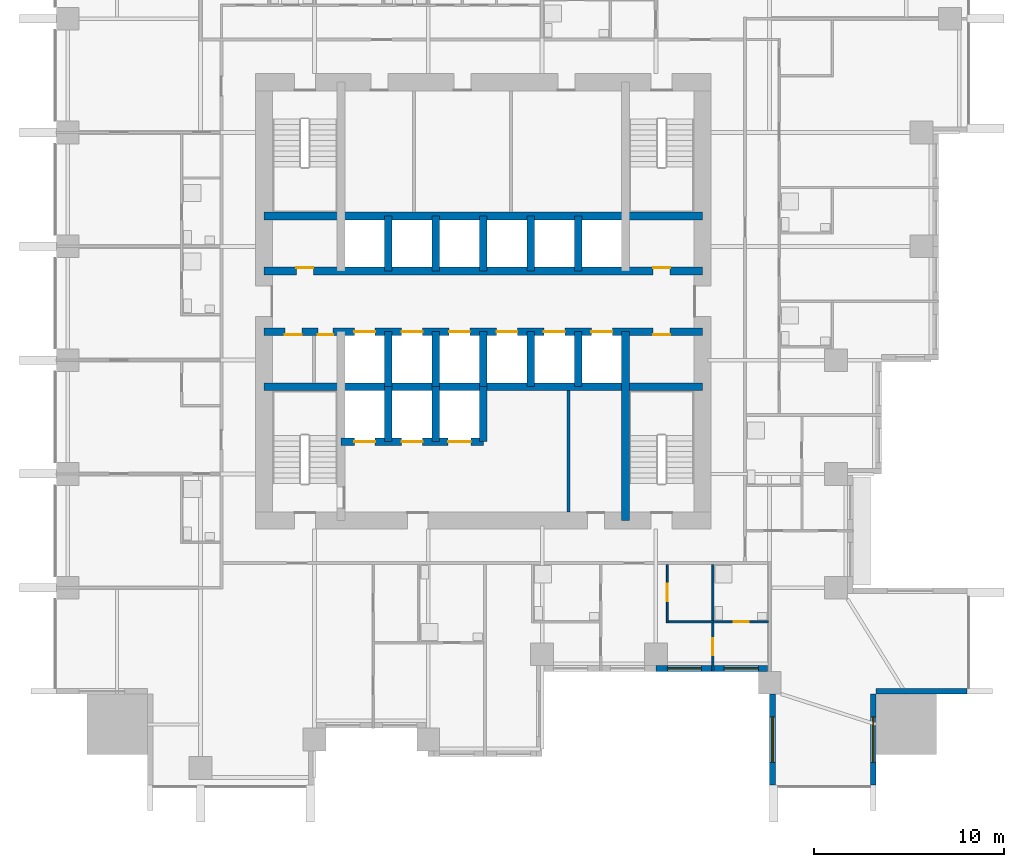
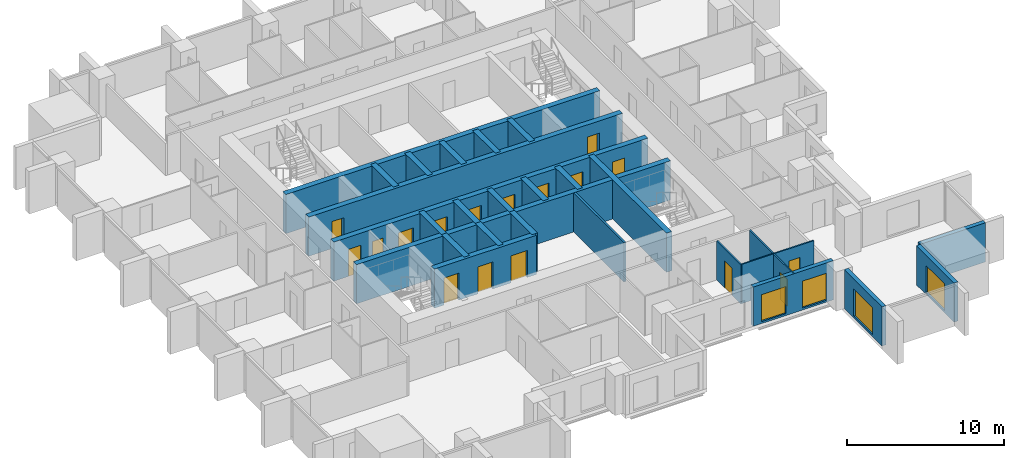
# One storey, part 5 of 10: 27 walls, 17 doors, 4 windows, 21 openings.
"""IFC4 building model written with IfcOpenShell, lengths in metres."""

from ifc_helpers import new_model, si_unit, direction, frame, frame_2d, origin, place, context, subcontext, project, spatial, rectangle, extrude, material, layer, layer_set, type_object, element, fill, save


model = new_model("IFC4")

# Units and contexts
model_context = context("Model", 3, precision=1e-05, world=origin(), true_north=direction((0.0, 1.0)))
body_context = subcontext(model_context, "Body", "Model", "MODEL_VIEW")
ifc_project = project(units=[si_unit("LENGTHUNIT", "METRE"), si_unit("AREAUNIT", "SQUARE_METRE"), si_unit("VOLUMEUNIT", "CUBIC_METRE"), si_unit("PLANEANGLEUNIT", "RADIAN"), si_unit("MASSUNIT", "GRAM", prefix="KILO")], contexts=[model_context])

# Site, building, storey
site_placement = place(None, origin())
site = spatial("IfcSite", under=ifc_project, at=site_placement, CompositionType="ELEMENT")
building_placement = place(site_placement, origin())
building = spatial("IfcBuilding", under=site, at=building_placement, Name="Amberfall Residences", CompositionType="ELEMENT")
storey_placement = place(building_placement, frame((0.0, 0.0, 46.60009765625)))
storey = spatial("IfcBuildingStorey", under=building, at=storey_placement, Name="L12", CompositionType="ELEMENT", Elevation=46.60009765625)

# Wall, opening, window
ifc_material_1 = material(Name="Pale stone cladding on insulated backing", Category="masonry")
ifc_layer_1 = layer(ifc_material_1, 0.300048828125)
ifc_layer_set_1 = layer_set([ifc_layer_1], Name="Bronze clad wall 300")
wall_type_1 = type_object("IfcWallType", Name="Bronze clad wall 300", PredefinedType="SOLIDWALL", material=ifc_layer_set_1)
wall_1_placement = place(storey_placement, frame((89.75, 24.800048828125, 0.0), z_axis=(0.0, 0.0, 1.0), x_axis=(0.0, -1.0, 0.0)))
wall_1 = element("IfcWall", 1, at=wall_1_placement, inside=storey, type_object=wall_type_1, Name="External wall L12 S", PredefinedType="SOLIDWALL", context=body_context, shape_type="SweptSolid", body=[
    extrude(rectangle(XDim=4.800048828125, YDim=0.300048828125, at=frame_2d((2.39990234375, 0.0))), origin(), (0.0, 0.0, 1.0), 3.0498046875),
])
opening_1_placement = place(wall_1_placement, frame((1.199951171875, 0.0, 0.14990234375)))
opening_1 = element("IfcOpeningElement", 2, at=opening_1_placement, cuts=wall_1, Name="Opening WN5", PredefinedType="OPENING", context=body_context, shape_type="SweptSolid", body=[
    extrude(rectangle(XDim=2.39990234375, YDim=2.10009765625, at=frame_2d((1.199951171875, 1.050048828125))), frame((0.0, 0.159912109375, 0.0), z_axis=(0.0, -1.0, 0.0), x_axis=(1.0, 0.0, 0.0)), (0.0, 0.0, 1.0), 0.320068359375),
])
ifc_material_2 = material(Name="Bronze aluminium framed glazing", Category="aluminium")
window_type_1 = type_object("IfcWindowType", Name="Glazed opening 2400 x 2100 bronze", PartitioningType="DOUBLE_PANEL_VERTICAL", PredefinedType="WINDOW", material=ifc_material_2)
window_1_placement = place(opening_1_placement, origin())
window_1 = element("IfcWindow", 3, at=window_1_placement, inside=storey, type_object=window_type_1, Name="Window L12 S", OverallHeight=2.10009765625, OverallWidth=2.39990234375, PartitioningType="DOUBLE_PANEL_VERTICAL", PredefinedType="WINDOW", context=body_context, shape_type="SweptSolid", body=[
    extrude(rectangle(XDim=2.39990234375, YDim=2.10009765625, at=frame_2d((1.199951171875, 1.050048828125))), frame((0.0, 0.030029296875, 0.0), z_axis=(0.0, -1.0, 0.0), x_axis=(1.0, 0.0, 0.0)), (0.0, 0.0, 1.0), 0.06005859375),
])
fill(opening_1, window_1)

wall_2_placement = place(storey_placement, frame((95.050048828125, 20.0, 0.0), z_axis=(0.0, 0.0, 1.0), x_axis=(0.0, 1.0, 0.0)))
wall_2 = element("IfcWall", 4, at=wall_2_placement, inside=storey, type_object=wall_type_1, Name="External wall L12 SE", PredefinedType="SOLIDWALL", context=body_context, shape_type="SweptSolid", body=[
    extrude(rectangle(XDim=4.800048828125, YDim=0.300048828125, at=frame_2d((2.39990234375, 0.0))), origin(), (0.0, 0.0, 1.0), 3.0498046875),
])
opening_2_placement = place(wall_2_placement, frame((1.199951171875, 0.0, 0.14990234375)))
opening_2 = element("IfcOpeningElement", 5, at=opening_2_placement, cuts=wall_2, Name="Opening WN5", PredefinedType="OPENING", context=body_context, shape_type="SweptSolid", body=[
    extrude(rectangle(XDim=2.39990234375, YDim=2.10009765625, at=frame_2d((1.199951171875, 1.050048828125))), frame((0.0, 0.159912109375, 0.0), z_axis=(0.0, -1.0, 0.0), x_axis=(1.0, 0.0, 0.0)), (0.0, 0.0, 1.0), 0.320068359375),
])
window_2_placement = place(opening_2_placement, origin())
window_2 = element("IfcWindow", 6, at=window_2_placement, inside=storey, type_object=window_type_1, Name="Window L12 SE", OverallHeight=2.10009765625, OverallWidth=2.39990234375, PartitioningType="DOUBLE_PANEL_VERTICAL", PredefinedType="WINDOW", context=body_context, shape_type="SweptSolid", body=[
    extrude(rectangle(XDim=2.39990234375, YDim=2.10009765625, at=frame_2d((1.199951171875, 1.050048828125))), frame((0.0, 0.030029296875, 0.0), z_axis=(0.0, -1.0, 0.0), x_axis=(1.0, 0.0, 0.0)), (0.0, 0.0, 1.0), 0.06005859375),
])
fill(opening_2, window_2)

# Wall
wall_3_placement = place(storey_placement, frame((95.199951171875, 24.949951171875, 0.0), z_axis=(0.0, 0.0, 1.0), x_axis=(1.0, 0.0, 0.0)))
element("IfcWall", 7, at=wall_3_placement, inside=storey, type_object=wall_type_1, Name="External wall L12 SE", PredefinedType="SOLIDWALL", context=body_context, shape_type="SweptSolid", body=[
    extrude(rectangle(XDim=4.800048828125, YDim=0.300048828125, at=frame_2d((2.39990234375, 0.0))), origin(), (0.0, 0.0, 1.0), 3.0498046875),
])

# Wall, openings, windows
wall_4_placement = place(storey_placement, frame((83.60009765625, 26.14990234375, 0.0), z_axis=(0.0, 0.0, 1.0), x_axis=(1.0, 0.0, 0.0)))
wall_4 = element("IfcWall", 8, at=wall_4_placement, inside=storey, type_object=wall_type_1, Name="Stone wall L12 S", PredefinedType="SOLIDWALL", context=body_context, shape_type="SweptSolid", body=[
    extrude(rectangle(XDim=5.889892578125, YDim=0.300048828125, at=frame_2d((2.94482421875, 0.0))), origin(), (0.0, 0.0, 1.0), 3.0498046875),
])
opening_3_placement = place(wall_4_placement, frame((0.60009765625, 0.0, 0.14990234375)))
opening_3 = element("IfcOpeningElement", 9, at=opening_3_placement, cuts=wall_4, Name="Opening WN6", PredefinedType="OPENING", context=body_context, shape_type="SweptSolid", body=[
    extrude(rectangle(XDim=1.800048828125, YDim=2.10009765625, at=frame_2d((0.89990234375, 1.050048828125))), frame((0.0, 0.159912109375, 0.0), z_axis=(0.0, -1.0, 0.0), x_axis=(1.0, 0.0, 0.0)), (0.0, 0.0, 1.0), 0.320068359375),
])
opening_4_placement = place(wall_4_placement, frame((3.60009765625, 0.0, 0.14990234375)))
opening_4 = element("IfcOpeningElement", 10, at=opening_4_placement, cuts=wall_4, Name="Opening WN6", PredefinedType="OPENING", context=body_context, shape_type="SweptSolid", body=[
    extrude(rectangle(XDim=1.800048828125, YDim=2.10009765625, at=frame_2d((0.89990234375, 1.050048828125))), frame((0.0, 0.159912109375, 0.0), z_axis=(0.0, -1.0, 0.0), x_axis=(1.0, 0.0, 0.0)), (0.0, 0.0, 1.0), 0.320068359375),
])
window_type_2 = type_object("IfcWindowType", Name="Glazed opening 1800 x 2100 bronze", PartitioningType="DOUBLE_PANEL_VERTICAL", PredefinedType="WINDOW", material=ifc_material_2)
window_3_placement = place(opening_3_placement, origin())
window_3 = element("IfcWindow", 11, at=window_3_placement, inside=storey, type_object=window_type_2, Name="Window L12 S", OverallHeight=2.10009765625, OverallWidth=1.800048828125, PartitioningType="DOUBLE_PANEL_VERTICAL", PredefinedType="WINDOW", context=body_context, shape_type="SweptSolid", body=[
    extrude(rectangle(XDim=1.800048828125, YDim=2.10009765625, at=frame_2d((0.89990234375, 1.050048828125))), frame((0.0, 0.030029296875, 0.0), z_axis=(0.0, -1.0, 0.0), x_axis=(1.0, 0.0, 0.0)), (0.0, 0.0, 1.0), 0.06005859375),
])
fill(opening_3, window_3)
window_4_placement = place(opening_4_placement, origin())
window_4 = element("IfcWindow", 12, at=window_4_placement, inside=storey, type_object=window_type_2, Name="Window L12 S", OverallHeight=2.10009765625, OverallWidth=1.800048828125, PartitioningType="DOUBLE_PANEL_VERTICAL", PredefinedType="WINDOW", context=body_context, shape_type="SweptSolid", body=[
    extrude(rectangle(XDim=1.800048828125, YDim=2.10009765625, at=frame_2d((0.89990234375, 1.050048828125))), frame((0.0, 0.030029296875, 0.0), z_axis=(0.0, -1.0, 0.0), x_axis=(1.0, 0.0, 0.0)), (0.0, 0.0, 1.0), 0.06005859375),
])
fill(opening_4, window_4)

# Wall
ifc_material_3 = material(Name="Concrete C80", Category="concrete")
ifc_layer_2 = layer(ifc_material_3, 0.39990234375)
ifc_layer_set_2 = layer_set([ifc_layer_2], Name="Core wall 400 C80")
wall_type_2 = type_object("IfcWallType", Name="Core wall 400 C80", PredefinedType="SHEAR", material=ifc_layer_set_2)
wall_5_placement = place(storey_placement, frame((62.949951171875, 41.0, 0.0), z_axis=(0.0, 0.0, 1.0), x_axis=(1.0, 0.0, 0.0)))
element("IfcWall", 13, at=wall_5_placement, inside=storey, type_object=wall_type_2, Name="Core wall RW2 L12 H75", PredefinedType="SHEAR", context=body_context, shape_type="SweptSolid", body=[
    extrude(rectangle(XDim=23.10009765625, YDim=0.39990234375, at=frame_2d((11.550048828125, 0.0))), origin(), (0.0, 0.0, 1.0), 3.0498046875),
])

# Wall, openings, doors
wall_6_placement = place(storey_placement, frame((62.949951171875, 43.89990234375, 0.0), z_axis=(0.0, 0.0, 1.0), x_axis=(1.0, 0.0, 0.0)))
wall_6 = element("IfcWall", 14, at=wall_6_placement, inside=storey, type_object=wall_type_2, Name="Core wall RW2 L12 H104", PredefinedType="SHEAR", context=body_context, shape_type="SweptSolid", body=[
    extrude(rectangle(XDim=23.10009765625, YDim=0.39990234375, at=frame_2d((11.550048828125, 0.0))), origin(), (0.0, 0.0, 1.0), 3.0498046875),
])
opening_5_placement = place(wall_6_placement, frame((1.087890625, 0.0, 0.0)))
opening_5 = element("IfcOpeningElement", 15, at=opening_5_placement, cuts=wall_6, Name="Opening RD1", PredefinedType="OPENING", context=body_context, shape_type="SweptSolid", body=[
    extrude(rectangle(XDim=0.89990234375, YDim=2.10009765625, at=frame_2d((0.449951171875, 1.050048828125))), frame((0.0, 0.2099609375, 0.0), z_axis=(0.0, -1.0, 0.0), x_axis=(1.0, 0.0, 0.0)), (0.0, 0.0, 1.0), 0.419921875),
])
opening_6_placement = place(wall_6_placement, frame((2.837890625, 0.0, 0.0)))
opening_6 = element("IfcOpeningElement", 16, at=opening_6_placement, cuts=wall_6, Name="Opening RD2", PredefinedType="OPENING", context=body_context, shape_type="SweptSolid", body=[
    extrude(rectangle(XDim=0.800048828125, YDim=2.10009765625, at=frame_2d((0.39990234375, 1.050048828125))), frame((0.0, 0.2099609375, 0.0), z_axis=(0.0, -1.0, 0.0), x_axis=(1.0, 0.0, 0.0)), (0.0, 0.0, 1.0), 0.419921875),
])
opening_7_placement = place(wall_6_placement, frame((20.5, 0.0, 0.0)))
opening_7 = element("IfcOpeningElement", 17, at=opening_7_placement, cuts=wall_6, Name="Opening RD1", PredefinedType="OPENING", context=body_context, shape_type="SweptSolid", body=[
    extrude(rectangle(XDim=0.89990234375, YDim=2.10009765625, at=frame_2d((0.449951171875, 1.050048828125))), frame((0.0, 0.2099609375, 0.0), z_axis=(0.0, -1.0, 0.0), x_axis=(1.0, 0.0, 0.0)), (0.0, 0.0, 1.0), 0.419921875),
])
opening_8_placement = place(wall_6_placement, frame((4.75, 0.0, 0.0)))
opening_8 = element("IfcOpeningElement", 18, at=opening_8_placement, cuts=wall_6, Name="Opening LD1", PredefinedType="OPENING", context=body_context, shape_type="SweptSolid", body=[
    extrude(rectangle(XDim=1.10009765625, YDim=2.10009765625, at=frame_2d((0.550048828125, 1.050048828125))), frame((0.0, 0.2099609375, 0.0), z_axis=(0.0, -1.0, 0.0), x_axis=(1.0, 0.0, 0.0)), (0.0, 0.0, 1.0), 0.419921875),
])
opening_9_placement = place(wall_6_placement, frame((7.25, 0.0, 0.0)))
opening_9 = element("IfcOpeningElement", 19, at=opening_9_placement, cuts=wall_6, Name="Opening LD1", PredefinedType="OPENING", context=body_context, shape_type="SweptSolid", body=[
    extrude(rectangle(XDim=1.10009765625, YDim=2.10009765625, at=frame_2d((0.550048828125, 1.050048828125))), frame((0.0, 0.2099609375, 0.0), z_axis=(0.0, -1.0, 0.0), x_axis=(1.0, 0.0, 0.0)), (0.0, 0.0, 1.0), 0.419921875),
])
opening_10_placement = place(wall_6_placement, frame((9.75, 0.0, 0.0)))
opening_10 = element("IfcOpeningElement", 20, at=opening_10_placement, cuts=wall_6, Name="Opening LD1", PredefinedType="OPENING", context=body_context, shape_type="SweptSolid", body=[
    extrude(rectangle(XDim=1.10009765625, YDim=2.10009765625, at=frame_2d((0.550048828125, 1.050048828125))), frame((0.0, 0.2099609375, 0.0), z_axis=(0.0, -1.0, 0.0), x_axis=(1.0, 0.0, 0.0)), (0.0, 0.0, 1.0), 0.419921875),
])
opening_11_placement = place(wall_6_placement, frame((12.25, 0.0, 0.0)))
opening_11 = element("IfcOpeningElement", 21, at=opening_11_placement, cuts=wall_6, Name="Opening LD1", PredefinedType="OPENING", context=body_context, shape_type="SweptSolid", body=[
    extrude(rectangle(XDim=1.10009765625, YDim=2.10009765625, at=frame_2d((0.550048828125, 1.050048828125))), frame((0.0, 0.2099609375, 0.0), z_axis=(0.0, -1.0, 0.0), x_axis=(1.0, 0.0, 0.0)), (0.0, 0.0, 1.0), 0.419921875),
])
opening_12_placement = place(wall_6_placement, frame((14.75, 0.0, 0.0)))
opening_12 = element("IfcOpeningElement", 22, at=opening_12_placement, cuts=wall_6, Name="Opening LD1", PredefinedType="OPENING", context=body_context, shape_type="SweptSolid", body=[
    extrude(rectangle(XDim=1.10009765625, YDim=2.10009765625, at=frame_2d((0.550048828125, 1.050048828125))), frame((0.0, 0.2099609375, 0.0), z_axis=(0.0, -1.0, 0.0), x_axis=(1.0, 0.0, 0.0)), (0.0, 0.0, 1.0), 0.419921875),
])
opening_13_placement = place(wall_6_placement, frame((17.25, 0.0, 0.0)))
opening_13 = element("IfcOpeningElement", 23, at=opening_13_placement, cuts=wall_6, Name="Opening LD1", PredefinedType="OPENING", context=body_context, shape_type="SweptSolid", body=[
    extrude(rectangle(XDim=1.10009765625, YDim=2.10009765625, at=frame_2d((0.550048828125, 1.050048828125))), frame((0.0, 0.2099609375, 0.0), z_axis=(0.0, -1.0, 0.0), x_axis=(1.0, 0.0, 0.0)), (0.0, 0.0, 1.0), 0.419921875),
])
ifc_material_4 = material(Name="Steel fire door set", Category="steel")
door_type_1 = type_object("IfcDoorType", Name="Lift landing door 1100 x 2100", OperationType="DOUBLE_DOOR_SLIDING", PredefinedType="DOOR", material=ifc_material_4)
door_1_placement = place(opening_8_placement, origin())
door_1 = element("IfcDoor", 24, at=door_1_placement, inside=storey, type_object=door_type_1, Name="Landing door LP1 L12", OperationType="DOUBLE_DOOR_SLIDING", OverallHeight=2.10009765625, OverallWidth=1.10009765625, PredefinedType="DOOR", context=body_context, shape_type="SweptSolid", body=[
    extrude(rectangle(XDim=1.10009765625, YDim=2.10009765625, at=frame_2d((0.550048828125, 1.050048828125))), frame((0.0, 0.02490234375, 0.0), z_axis=(0.0, -1.0, 0.0), x_axis=(1.0, 0.0, 0.0)), (0.0, 0.0, 1.0), 0.050048828125),
])
fill(opening_8, door_1)
door_2_placement = place(opening_9_placement, origin())
door_2 = element("IfcDoor", 25, at=door_2_placement, inside=storey, type_object=door_type_1, Name="Landing door LP2 L12", OperationType="DOUBLE_DOOR_SLIDING", OverallHeight=2.10009765625, OverallWidth=1.10009765625, PredefinedType="DOOR", context=body_context, shape_type="SweptSolid", body=[
    extrude(rectangle(XDim=1.10009765625, YDim=2.10009765625, at=frame_2d((0.550048828125, 1.050048828125))), frame((0.0, 0.02490234375, 0.0), z_axis=(0.0, -1.0, 0.0), x_axis=(1.0, 0.0, 0.0)), (0.0, 0.0, 1.0), 0.050048828125),
])
fill(opening_9, door_2)
door_3_placement = place(opening_10_placement, origin())
door_3 = element("IfcDoor", 26, at=door_3_placement, inside=storey, type_object=door_type_1, Name="Landing door LP3 L12", OperationType="DOUBLE_DOOR_SLIDING", OverallHeight=2.10009765625, OverallWidth=1.10009765625, PredefinedType="DOOR", context=body_context, shape_type="SweptSolid", body=[
    extrude(rectangle(XDim=1.10009765625, YDim=2.10009765625, at=frame_2d((0.550048828125, 1.050048828125))), frame((0.0, 0.02490234375, 0.0), z_axis=(0.0, -1.0, 0.0), x_axis=(1.0, 0.0, 0.0)), (0.0, 0.0, 1.0), 0.050048828125),
])
fill(opening_10, door_3)
door_4_placement = place(opening_11_placement, origin())
door_4 = element("IfcDoor", 27, at=door_4_placement, inside=storey, type_object=door_type_1, Name="Landing door LP4 L12", OperationType="DOUBLE_DOOR_SLIDING", OverallHeight=2.10009765625, OverallWidth=1.10009765625, PredefinedType="DOOR", context=body_context, shape_type="SweptSolid", body=[
    extrude(rectangle(XDim=1.10009765625, YDim=2.10009765625, at=frame_2d((0.550048828125, 1.050048828125))), frame((0.0, 0.02490234375, 0.0), z_axis=(0.0, -1.0, 0.0), x_axis=(1.0, 0.0, 0.0)), (0.0, 0.0, 1.0), 0.050048828125),
])
fill(opening_11, door_4)
door_5_placement = place(opening_12_placement, origin())
door_5 = element("IfcDoor", 28, at=door_5_placement, inside=storey, type_object=door_type_1, Name="Landing door LP5 L12", OperationType="DOUBLE_DOOR_SLIDING", OverallHeight=2.10009765625, OverallWidth=1.10009765625, PredefinedType="DOOR", context=body_context, shape_type="SweptSolid", body=[
    extrude(rectangle(XDim=1.10009765625, YDim=2.10009765625, at=frame_2d((0.550048828125, 1.050048828125))), frame((0.0, 0.02490234375, 0.0), z_axis=(0.0, -1.0, 0.0), x_axis=(1.0, 0.0, 0.0)), (0.0, 0.0, 1.0), 0.050048828125),
])
fill(opening_12, door_5)
door_6_placement = place(opening_13_placement, origin())
door_6 = element("IfcDoor", 29, at=door_6_placement, inside=storey, type_object=door_type_1, Name="Landing door LP6 L12", OperationType="DOUBLE_DOOR_SLIDING", OverallHeight=2.10009765625, OverallWidth=1.10009765625, PredefinedType="DOOR", context=body_context, shape_type="SweptSolid", body=[
    extrude(rectangle(XDim=1.10009765625, YDim=2.10009765625, at=frame_2d((0.550048828125, 1.050048828125))), frame((0.0, 0.02490234375, 0.0), z_axis=(0.0, -1.0, 0.0), x_axis=(1.0, 0.0, 0.0)), (0.0, 0.0, 1.0), 0.050048828125),
])
fill(opening_13, door_6)
door_type_2 = type_object("IfcDoorType", Name="Service room door 800 x 2100", OperationType="SINGLE_SWING_LEFT", PredefinedType="DOOR", material=ifc_material_4)
door_7_placement = place(opening_6_placement, origin())
door_7 = element("IfcDoor", 30, at=door_7_placement, inside=storey, type_object=door_type_2, Name="RD2 L12", OperationType="SINGLE_SWING_RIGHT", OverallHeight=2.10009765625, OverallWidth=0.800048828125, PredefinedType="DOOR", context=body_context, shape_type="SweptSolid", body=[
    extrude(rectangle(XDim=0.800048828125, YDim=2.10009765625, at=frame_2d((0.39990234375, 1.050048828125))), frame((0.0, -0.1376953125, 0.0), z_axis=(0.0, -1.0, 0.0), x_axis=(1.0, 0.0, 0.0)), (0.0, 0.0, 1.0), 0.050048828125),
])
fill(opening_6, door_7)
door_type_3 = type_object("IfcDoorType", Name="Service room door 900 x 2100", OperationType="SINGLE_SWING_LEFT", PredefinedType="DOOR", material=ifc_material_4)
door_8_placement = place(opening_5_placement, origin())
door_8 = element("IfcDoor", 31, at=door_8_placement, inside=storey, type_object=door_type_3, Name="RD1 L12", OperationType="SINGLE_SWING_LEFT", OverallHeight=2.10009765625, OverallWidth=0.89990234375, PredefinedType="DOOR", context=body_context, shape_type="SweptSolid", body=[
    extrude(rectangle(XDim=0.89990234375, YDim=2.10009765625, at=frame_2d((0.449951171875, 1.050048828125))), frame((0.0, -0.1376953125, 0.0), z_axis=(0.0, -1.0, 0.0), x_axis=(1.0, 0.0, 0.0)), (0.0, 0.0, 1.0), 0.050048828125),
])
fill(opening_5, door_8)
door_9_placement = place(opening_7_placement, origin())
door_9 = element("IfcDoor", 32, at=door_9_placement, inside=storey, type_object=door_type_3, Name="RD1 L12", OperationType="SINGLE_SWING_LEFT", OverallHeight=2.10009765625, OverallWidth=0.89990234375, PredefinedType="DOOR", context=body_context, shape_type="SweptSolid", body=[
    extrude(rectangle(XDim=0.89990234375, YDim=2.10009765625, at=frame_2d((0.449951171875, 1.050048828125))), frame((0.0, -0.1376953125, 0.0), z_axis=(0.0, -1.0, 0.0), x_axis=(1.0, 0.0, 0.0)), (0.0, 0.0, 1.0), 0.050048828125),
])
fill(opening_7, door_9)

wall_7_placement = place(storey_placement, frame((62.949951171875, 47.10009765625, 0.0), z_axis=(0.0, 0.0, 1.0), x_axis=(1.0, 0.0, 0.0)))
wall_7 = element("IfcWall", 33, at=wall_7_placement, inside=storey, type_object=wall_type_2, Name="Core wall RW2 L12 H136", PredefinedType="SHEAR", context=body_context, shape_type="SweptSolid", body=[
    extrude(rectangle(XDim=23.10009765625, YDim=0.39990234375, at=frame_2d((11.550048828125, 0.0))), origin(), (0.0, 0.0, 1.0), 3.0498046875),
])
opening_14_placement = place(wall_7_placement, frame((1.699951171875, 0.0, 0.0)))
opening_14 = element("IfcOpeningElement", 34, at=opening_14_placement, cuts=wall_7, Name="Opening RD1", PredefinedType="OPENING", context=body_context, shape_type="SweptSolid", body=[
    extrude(rectangle(XDim=0.89990234375, YDim=2.10009765625, at=frame_2d((0.449951171875, 1.050048828125))), frame((0.0, 0.2099609375, 0.0), z_axis=(0.0, -1.0, 0.0), x_axis=(1.0, 0.0, 0.0)), (0.0, 0.0, 1.0), 0.419921875),
])
opening_15_placement = place(wall_7_placement, frame((20.5, 0.0, 0.0)))
opening_15 = element("IfcOpeningElement", 35, at=opening_15_placement, cuts=wall_7, Name="Opening RD1", PredefinedType="OPENING", context=body_context, shape_type="SweptSolid", body=[
    extrude(rectangle(XDim=0.89990234375, YDim=2.10009765625, at=frame_2d((0.449951171875, 1.050048828125))), frame((0.0, 0.2099609375, 0.0), z_axis=(0.0, -1.0, 0.0), x_axis=(1.0, 0.0, 0.0)), (0.0, 0.0, 1.0), 0.419921875),
])
door_10_placement = place(opening_14_placement, origin())
door_10 = element("IfcDoor", 36, at=door_10_placement, inside=storey, type_object=door_type_3, Name="RD1 L12", OperationType="SINGLE_SWING_LEFT", OverallHeight=2.10009765625, OverallWidth=0.89990234375, PredefinedType="DOOR", context=body_context, shape_type="SweptSolid", body=[
    extrude(rectangle(XDim=0.89990234375, YDim=2.10009765625, at=frame_2d((0.449951171875, 1.050048828125))), frame((0.0, 0.1875, 0.0), z_axis=(0.0, -1.0, 0.0), x_axis=(1.0, 0.0, 0.0)), (0.0, 0.0, 1.0), 0.050048828125),
])
fill(opening_14, door_10)
door_11_placement = place(opening_15_placement, origin())
door_11 = element("IfcDoor", 37, at=door_11_placement, inside=storey, type_object=door_type_3, Name="RD1 L12", OperationType="SINGLE_SWING_LEFT", OverallHeight=2.10009765625, OverallWidth=0.89990234375, PredefinedType="DOOR", context=body_context, shape_type="SweptSolid", body=[
    extrude(rectangle(XDim=0.89990234375, YDim=2.10009765625, at=frame_2d((0.449951171875, 1.050048828125))), frame((0.0, 0.1875, 0.0), z_axis=(0.0, -1.0, 0.0), x_axis=(1.0, 0.0, 0.0)), (0.0, 0.0, 1.0), 0.050048828125),
])
fill(opening_15, door_11)

# Walls
wall_8_placement = place(storey_placement, frame((62.949951171875, 50.0, 0.0), z_axis=(0.0, 0.0, 1.0), x_axis=(1.0, 0.0, 0.0)))
element("IfcWall", 38, at=wall_8_placement, inside=storey, type_object=wall_type_2, Name="Core wall RW2 L12 H165", PredefinedType="SHEAR", context=body_context, shape_type="SweptSolid", body=[
    extrude(rectangle(XDim=23.10009765625, YDim=0.39990234375, at=frame_2d((11.550048828125, 0.0))), origin(), (0.0, 0.0, 1.0), 3.0498046875),
])
wall_9_placement = place(storey_placement, frame((82.0, 33.949951171875, 0.0), z_axis=(0.0, 0.0, 1.0), x_axis=(0.0, 1.0, 0.0)))
element("IfcWall", 39, at=wall_9_placement, inside=storey, type_object=wall_type_2, Name="Core wall RW2 L12 V195S", PredefinedType="SHEAR", context=body_context, shape_type="SweptSolid", body=[
    extrude(rectangle(XDim=9.949951171875, YDim=0.39990234375, at=frame_2d((4.97509765625, 0.0))), origin(), (0.0, 0.0, 1.0), 3.0498046875),
])
for number, where, z_axis, x_axis, name in (
    (40, (69.5, 41.0, 0.0), (0.0, 0.0, 1.0), (0.0, 1.0, 0.0), "Core wall RW2 L12 LPD1"),
    (41, (69.5, 47.10009765625, 0.0), (0.0, 0.0, 1.0), (0.0, 1.0, 0.0), "Core wall RW2 L12 HPD1"),
    (42, (72.0, 41.0, 0.0), (0.0, 0.0, 1.0), (0.0, 1.0, 0.0), "Core wall RW2 L12 LPD2"),
    (43, (72.0, 47.10009765625, 0.0), (0.0, 0.0, 1.0), (0.0, 1.0, 0.0), "Core wall RW2 L12 HPD2"),
    (44, (74.5, 41.0, 0.0), (0.0, 0.0, 1.0), (0.0, 1.0, 0.0), "Core wall RW2 L12 LPD3"),
    (45, (74.5, 47.10009765625, 0.0), (0.0, 0.0, 1.0), (0.0, 1.0, 0.0), "Core wall RW2 L12 HPD3"),
    (46, (77.0, 41.0, 0.0), (0.0, 0.0, 1.0), (0.0, 1.0, 0.0), "Core wall RW2 L12 LPD4"),
    (47, (77.0, 47.10009765625, 0.0), (0.0, 0.0, 1.0), (0.0, 1.0, 0.0), "Core wall RW2 L12 HPD4"),
    (48, (79.5, 41.0, 0.0), (0.0, 0.0, 1.0), (0.0, 1.0, 0.0), "Core wall RW2 L12 LPD5"),
    (49, (79.5, 47.10009765625, 0.0), (0.0, 0.0, 1.0), (0.0, 1.0, 0.0), "Core wall RW2 L12 HPD5"),
):
    element("IfcWall", number, at=place(storey_placement, frame(where, z_axis=z_axis, x_axis=x_axis)), inside=storey, type_object=wall_type_2, Name=name, PredefinedType="SHEAR", context=body_context, shape_type="SweptSolid", body=[
        extrude(rectangle(XDim=2.89990234375, YDim=0.39990234375, at=frame_2d((1.449951171875, 0.0))), origin(), (0.0, 0.0, 1.0), 3.0498046875),
    ])

# Wall, openings, doors
wall_10_placement = place(storey_placement, frame((67.0, 38.10009765625, 0.0), z_axis=(0.0, 0.0, 1.0), x_axis=(1.0, 0.0, 0.0)))
wall_10 = element("IfcWall", 50, at=wall_10_placement, inside=storey, type_object=wall_type_2, Name="Core wall RW2 L12 FFF", PredefinedType="SHEAR", context=body_context, shape_type="SweptSolid", body=[
    extrude(rectangle(XDim=7.5, YDim=0.39990234375, at=frame_2d((3.75, 0.0))), origin(), (0.0, 0.0, 1.0), 3.0498046875),
])
opening_16_placement = place(wall_10_placement, frame((0.699951171875, 0.0, 0.0)))
opening_16 = element("IfcOpeningElement", 51, at=opening_16_placement, cuts=wall_10, Name="Opening LD2", PredefinedType="OPENING", context=body_context, shape_type="SweptSolid", body=[
    extrude(rectangle(XDim=1.10009765625, YDim=2.10009765625, at=frame_2d((0.550048828125, 1.050048828125))), frame((0.0, 0.2099609375, 0.0), z_axis=(0.0, -1.0, 0.0), x_axis=(1.0, 0.0, 0.0)), (0.0, 0.0, 1.0), 0.419921875),
])
opening_17_placement = place(wall_10_placement, frame((3.199951171875, 0.0, 0.0)))
opening_17 = element("IfcOpeningElement", 52, at=opening_17_placement, cuts=wall_10, Name="Opening LD2", PredefinedType="OPENING", context=body_context, shape_type="SweptSolid", body=[
    extrude(rectangle(XDim=1.10009765625, YDim=2.10009765625, at=frame_2d((0.550048828125, 1.050048828125))), frame((0.0, 0.2099609375, 0.0), z_axis=(0.0, -1.0, 0.0), x_axis=(1.0, 0.0, 0.0)), (0.0, 0.0, 1.0), 0.419921875),
])
opening_18_placement = place(wall_10_placement, frame((5.64990234375, 0.0, 0.0)))
opening_18 = element("IfcOpeningElement", 53, at=opening_18_placement, cuts=wall_10, Name="Opening LD3", PredefinedType="OPENING", context=body_context, shape_type="SweptSolid", body=[
    extrude(rectangle(XDim=1.199951171875, YDim=2.10009765625, at=frame_2d((0.60009765625, 1.050048828125))), frame((0.0, 0.2099609375, 0.0), z_axis=(0.0, -1.0, 0.0), x_axis=(1.0, 0.0, 0.0)), (0.0, 0.0, 1.0), 0.419921875),
])
door_type_4 = type_object("IfcDoorType", Name="Firefighting lift landing door 1100 x 2100", OperationType="DOUBLE_DOOR_SLIDING", PredefinedType="DOOR", material=ifc_material_4)
door_12_placement = place(opening_16_placement, origin())
door_12 = element("IfcDoor", 54, at=door_12_placement, inside=storey, type_object=door_type_4, Name="Landing door FF1 L12", OperationType="DOUBLE_DOOR_SLIDING", OverallHeight=2.10009765625, OverallWidth=1.10009765625, PredefinedType="DOOR", context=body_context, shape_type="SweptSolid", body=[
    extrude(rectangle(XDim=1.10009765625, YDim=2.10009765625, at=frame_2d((0.550048828125, 1.050048828125))), frame((0.0, 0.02490234375, 0.0), z_axis=(0.0, -1.0, 0.0), x_axis=(1.0, 0.0, 0.0)), (0.0, 0.0, 1.0), 0.050048828125),
])
fill(opening_16, door_12)
door_13_placement = place(opening_17_placement, origin())
door_13 = element("IfcDoor", 55, at=door_13_placement, inside=storey, type_object=door_type_4, Name="Landing door FF2 L12", OperationType="DOUBLE_DOOR_SLIDING", OverallHeight=2.10009765625, OverallWidth=1.10009765625, PredefinedType="DOOR", context=body_context, shape_type="SweptSolid", body=[
    extrude(rectangle(XDim=1.10009765625, YDim=2.10009765625, at=frame_2d((0.550048828125, 1.050048828125))), frame((0.0, 0.02490234375, 0.0), z_axis=(0.0, -1.0, 0.0), x_axis=(1.0, 0.0, 0.0)), (0.0, 0.0, 1.0), 0.050048828125),
])
fill(opening_17, door_13)
door_type_5 = type_object("IfcDoorType", Name="Service lift landing door 1200 x 2100", OperationType="DOUBLE_DOOR_SLIDING", PredefinedType="DOOR", material=ifc_material_4)
door_14_placement = place(opening_18_placement, origin())
door_14 = element("IfcDoor", 56, at=door_14_placement, inside=storey, type_object=door_type_5, Name="Landing door SL1 L12", OperationType="DOUBLE_DOOR_SLIDING", OverallHeight=2.10009765625, OverallWidth=1.199951171875, PredefinedType="DOOR", context=body_context, shape_type="SweptSolid", body=[
    extrude(rectangle(XDim=1.199951171875, YDim=2.10009765625, at=frame_2d((0.60009765625, 1.050048828125))), frame((0.0, 0.02490234375, 0.0), z_axis=(0.0, -1.0, 0.0), x_axis=(1.0, 0.0, 0.0)), (0.0, 0.0, 1.0), 0.050048828125),
])
fill(opening_18, door_14)

# Walls
for number, where, z_axis, x_axis, name in (
    (57, (69.5, 38.10009765625, 0.0), (0.0, 0.0, 1.0), (0.0, 1.0, 0.0), "Core wall RW2 L12 FFD1"),
    (58, (72.0, 38.10009765625, 0.0), (0.0, 0.0, 1.0), (0.0, 1.0, 0.0), "Core wall RW2 L12 FFD2"),
    (59, (74.5, 38.10009765625, 0.0), (0.0, 0.0, 1.0), (0.0, 1.0, 0.0), "Core wall RW2 L12 FFD3"),
):
    element("IfcWall", number, at=place(storey_placement, frame(where, z_axis=z_axis, x_axis=x_axis)), inside=storey, type_object=wall_type_2, Name=name, PredefinedType="SHEAR", context=body_context, shape_type="SweptSolid", body=[
        extrude(rectangle(XDim=2.89990234375, YDim=0.39990234375, at=frame_2d((1.449951171875, 0.0))), origin(), (0.0, 0.0, 1.0), 3.0498046875),
    ])

# Wall, opening, door
ifc_material_5 = material(Name="Gypsum board on metal stud")
ifc_layer_3 = layer(ifc_material_5, 0.10009765625)
ifc_layer_set_3 = layer_set([ifc_layer_3], Name="Flat partition 100")
wall_type_3 = type_object("IfcWallType", Name="Flat partition 100", PredefinedType="PARTITIONING", material=ifc_layer_set_3)
wall_11_placement = place(storey_placement, frame((84.199951171875, 31.625, 0.0), z_axis=(0.0, 0.0, 1.0), x_axis=(0.0, -1.0, 0.0)))
wall_11 = element("IfcWall", 60, at=wall_11_placement, inside=storey, type_object=wall_type_3, Name="Partition 017", PredefinedType="PARTITIONING", context=body_context, shape_type="SweptSolid", body=[
    extrude(rectangle(XDim=3.074951171875, YDim=0.10009765625, at=frame_2d((1.53759765625, 0.0))), origin(), (0.0, 0.0, 1.0), 3.0498046875),
])
opening_19_placement = place(wall_11_placement, frame((1.02490234375, 0.0, 0.0)))
opening_19 = element("IfcOpeningElement", 61, at=opening_19_placement, cuts=wall_11, Name="Opening D41", PredefinedType="OPENING", context=body_context, shape_type="SweptSolid", body=[
    extrude(rectangle(XDim=0.89990234375, YDim=2.10009765625, at=frame_2d((0.449951171875, 1.050048828125))), frame((0.0, 0.06005859375, 0.0), z_axis=(0.0, -1.0, 0.0), x_axis=(1.0, 0.0, 0.0)), (0.0, 0.0, 1.0), 0.1201171875),
])
ifc_material_6 = material(Name="Timber", Category="wood")
door_type_6 = type_object("IfcDoorType", Name="Internal door 900 x 2100", OperationType="SINGLE_SWING_LEFT", PredefinedType="DOOR", material=ifc_material_6)
door_15_placement = place(opening_19_placement, origin())
door_15 = element("IfcDoor", 62, at=door_15_placement, inside=storey, type_object=door_type_6, Name="Door 1202 kitchen", OperationType="SINGLE_SWING_LEFT", OverallHeight=2.10009765625, OverallWidth=0.89990234375, PredefinedType="DOOR", context=body_context, shape_type="SweptSolid", body=[
    extrude(rectangle(XDim=0.89990234375, YDim=2.10009765625, at=frame_2d((0.449951171875, 1.050048828125))), frame((0.0, 0.02490234375, 0.0), z_axis=(0.0, -1.0, 0.0), x_axis=(1.0, 0.0, 0.0)), (0.0, 0.0, 1.0), 0.050048828125),
])
fill(opening_19, door_15)

wall_12_placement = place(storey_placement, frame((86.60009765625, 31.625, 0.0), z_axis=(0.0, 0.0, 1.0), x_axis=(0.0, -1.0, 0.0)))
wall_12 = element("IfcWall", 63, at=wall_12_placement, inside=storey, type_object=wall_type_3, Name="Partition 018", PredefinedType="PARTITIONING", context=body_context, shape_type="SweptSolid", body=[
    extrude(rectangle(XDim=5.625, YDim=0.10009765625, at=frame_2d((2.8125, 0.0))), origin(), (0.0, 0.0, 1.0), 3.0498046875),
])
opening_20_placement = place(wall_12_placement, frame((3.875, 0.0, 0.0)))
opening_20 = element("IfcOpeningElement", 64, at=opening_20_placement, cuts=wall_12, Name="Opening D41", PredefinedType="OPENING", context=body_context, shape_type="SweptSolid", body=[
    extrude(rectangle(XDim=0.89990234375, YDim=2.10009765625, at=frame_2d((0.449951171875, 1.050048828125))), frame((0.0, 0.06005859375, 0.0), z_axis=(0.0, -1.0, 0.0), x_axis=(1.0, 0.0, 0.0)), (0.0, 0.0, 1.0), 0.1201171875),
])
door_16_placement = place(opening_20_placement, origin())
door_16 = element("IfcDoor", 65, at=door_16_placement, inside=storey, type_object=door_type_6, Name="Door 1202 bedroom2", OperationType="SINGLE_SWING_LEFT", OverallHeight=2.10009765625, OverallWidth=0.89990234375, PredefinedType="DOOR", context=body_context, shape_type="SweptSolid", body=[
    extrude(rectangle(XDim=0.89990234375, YDim=2.10009765625, at=frame_2d((0.449951171875, 1.050048828125))), frame((0.0, 0.02490234375, 0.0), z_axis=(0.0, -1.0, 0.0), x_axis=(1.0, 0.0, 0.0)), (0.0, 0.0, 1.0), 0.050048828125),
])
fill(opening_20, door_16)

wall_13_placement = place(storey_placement, frame((84.25, 28.60009765625, 0.0), z_axis=(0.0, 0.0, 1.0), x_axis=(1.0, 0.0, 0.0)))
wall_13 = element("IfcWall", 66, at=wall_13_placement, inside=storey, type_object=wall_type_3, Name="Partition 045", PredefinedType="PARTITIONING", context=body_context, shape_type="SweptSolid", body=[
    extrude(rectangle(XDim=5.27490234375, YDim=0.10009765625, at=frame_2d((2.637451171875, 0.0))), origin(), (0.0, 0.0, 1.0), 3.0498046875),
])
opening_21_placement = place(wall_13_placement, frame((3.449951171875, 0.0, 0.0)))
opening_21 = element("IfcOpeningElement", 67, at=opening_21_placement, cuts=wall_13, Name="Opening D42", PredefinedType="OPENING", context=body_context, shape_type="SweptSolid", body=[
    extrude(rectangle(XDim=0.800048828125, YDim=2.10009765625, at=frame_2d((0.39990234375, 1.050048828125))), frame((0.0, 0.06005859375, 0.0), z_axis=(0.0, -1.0, 0.0), x_axis=(1.0, 0.0, 0.0)), (0.0, 0.0, 1.0), 0.1201171875),
])
door_type_7 = type_object("IfcDoorType", Name="Bathroom door 800 x 2100", OperationType="SINGLE_SWING_LEFT", PredefinedType="DOOR", material=ifc_material_6)
door_17_placement = place(opening_21_placement, origin())
door_17 = element("IfcDoor", 68, at=door_17_placement, inside=storey, type_object=door_type_7, Name="Door 1202 bath2", OperationType="SINGLE_SWING_LEFT", OverallHeight=2.10009765625, OverallWidth=0.800048828125, PredefinedType="DOOR", context=body_context, shape_type="SweptSolid", body=[
    extrude(rectangle(XDim=0.800048828125, YDim=2.10009765625, at=frame_2d((0.39990234375, 1.050048828125))), frame((0.0, 0.02490234375, 0.0), z_axis=(0.0, -1.0, 0.0), x_axis=(1.0, 0.0, 0.0)), (0.0, 0.0, 1.0), 0.050048828125),
])
fill(opening_21, door_17)

# Wall
ifc_material_7 = material(Name="Concrete blockwork", Category="masonry")
ifc_layer_4 = layer(ifc_material_7, 0.14990234375)
ifc_layer_set_4 = layer_set([ifc_layer_4], Name="Riser wall 150")
wall_type_4 = type_object("IfcWallType", Name="Riser wall 150", PredefinedType="PLUMBINGWALL", material=ifc_layer_set_4)
wall_14_placement = place(storey_placement, frame((79.0, 34.39990234375, 0.0), z_axis=(0.0, 0.0, 1.0), x_axis=(0.0, 1.0, 0.0)))
element("IfcWall", 69, at=wall_14_placement, inside=storey, type_object=wall_type_4, Name="L12 core wall PX", PredefinedType="PLUMBINGWALL", context=body_context, shape_type="SweptSolid", body=[
    extrude(rectangle(XDim=6.400146484375, YDim=0.14990234375, at=frame_2d((3.2001953125, 0.0))), origin(), (0.0, 0.0, 1.0), 3.0498046875),
])

save(model, "model.ifc")
